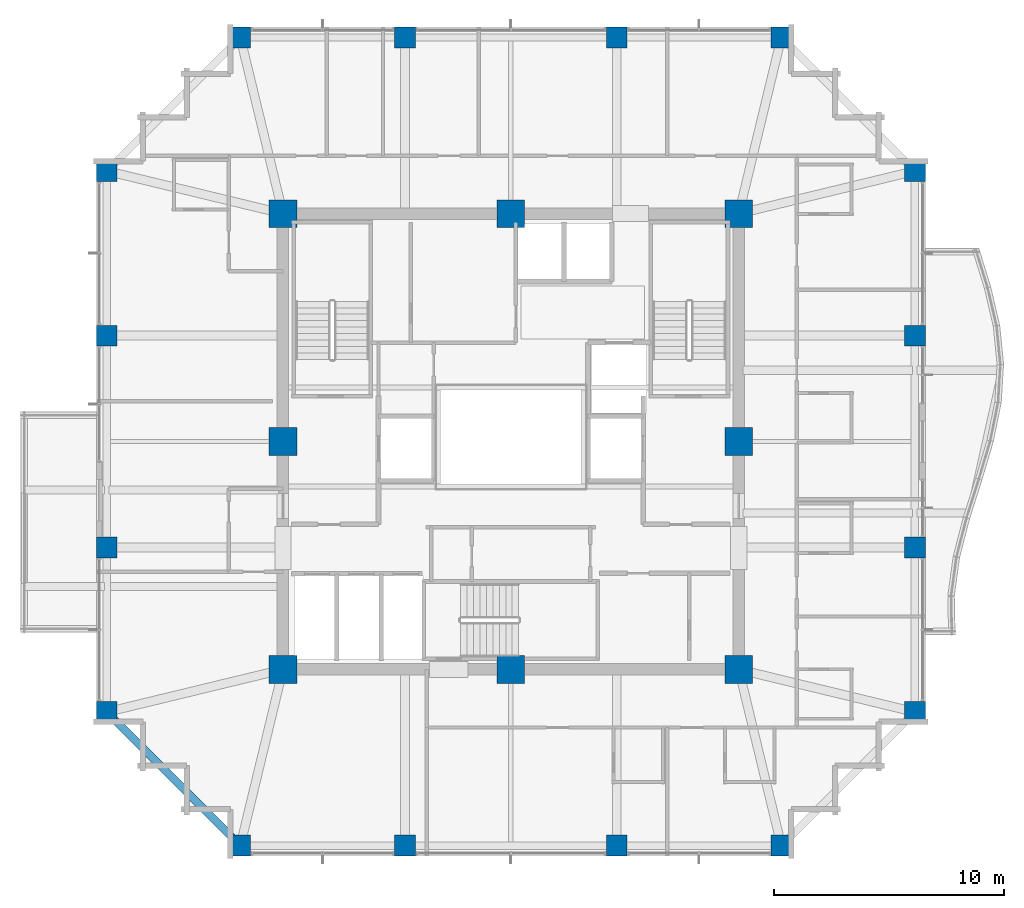
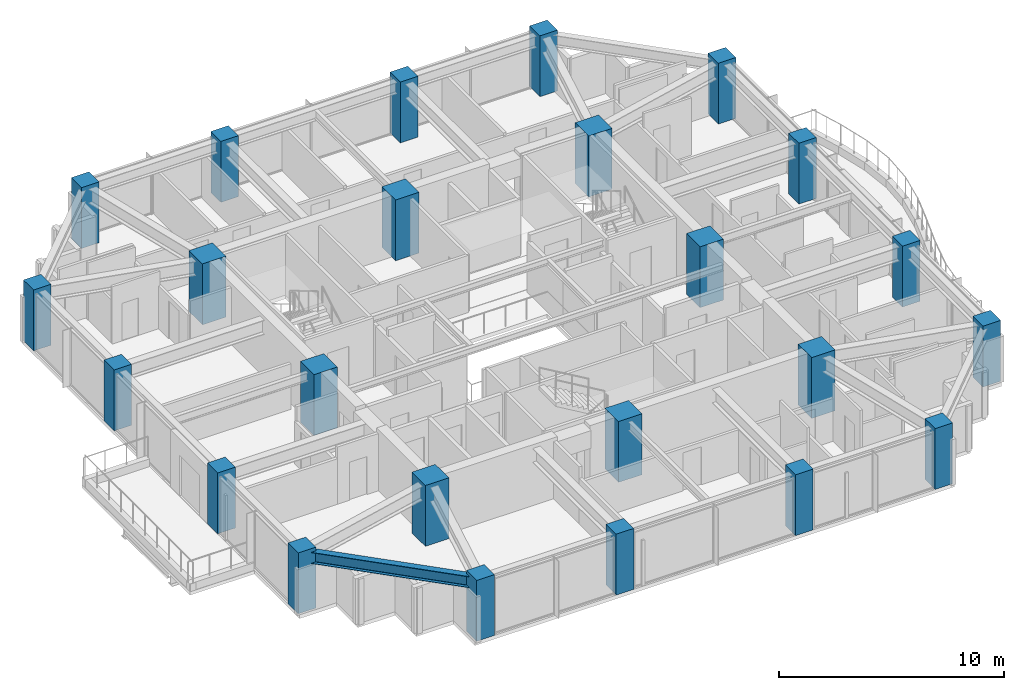
# One storey, part 1 of 32: 24 columns, 1 beam.
"""IFC4 building model written with IfcOpenShell, lengths in metres."""

from ifc_helpers import new_model, si_unit, direction, frame, origin, origin_2d, place, context, subcontext, project, spatial, rectangle, i_section, extrude, material, material_profile, profile_set, type_object, element, save


model = new_model("IFC4")

# Units and contexts
model_context = context("Model", 3, precision=1e-05, world=origin(), true_north=direction((0.0, 1.0)))
body_context = subcontext(model_context, "Body", "Model", "MODEL_VIEW")
ifc_project = project(units=[si_unit("LENGTHUNIT", "METRE"), si_unit("AREAUNIT", "SQUARE_METRE"), si_unit("VOLUMEUNIT", "CUBIC_METRE"), si_unit("PLANEANGLEUNIT", "RADIAN"), si_unit("MASSUNIT", "GRAM", prefix="KILO")], contexts=[model_context])

# Site, building, storey
site_placement = place(None, origin())
site = spatial("IfcSite", under=ifc_project, at=site_placement, CompositionType="ELEMENT")
building_placement = place(site_placement, origin())
building = spatial("IfcBuilding", under=site, at=building_placement, Name="Kolvaren Belvedere", CompositionType="ELEMENT")
storey_placement = place(building_placement, frame((0.0, 0.0, 141.5)))
storey = spatial("IfcBuildingStorey", under=building, at=storey_placement, Name="L41", CompositionType="ELEMENT", Elevation=141.5)

# Columns
ifc_material_1 = material(Name="Concrete C60/75", Category="concrete")
ifc_material_profile_1 = material_profile(ifc_material_1, rectangle(XDim=1.199951171875, YDim=1.199951171875, at=origin_2d()), Name="RC 1200X1200")
ifc_profile_set_1 = profile_set([ifc_material_profile_1], Name="Concrete C60/75")
column_type_1 = type_object("IfcColumnType", Name="COL-RC-1200", PredefinedType="COLUMN", material=ifc_profile_set_1)
for number, where, z_axis, x_axis, name in (
    (1, (-9.89990234375, -9.89990234375, 0.0), (0.0, 0.0, 1.0), (1.0, 0.0, 0.0), "L41 Core Column CC1"),
    (2, (9.89990234375, -9.89990234375, 0.0), (0.0, 0.0, 1.0), (1.0, 0.0, 0.0), "L41 Core Column CC2"),
    (3, (9.89990234375, 9.89990234375, 0.0), (0.0, 0.0, 1.0), (1.0, 0.0, 0.0), "L41 Core Column CC3"),
    (4, (-9.89990234375, 9.89990234375, 0.0), (0.0, 0.0, 1.0), (1.0, 0.0, 0.0), "L41 Core Column CC4"),
    (5, (0.0, -9.89990234375, 0.0), (0.0, 0.0, 1.0), (1.0, 0.0, 0.0), "L41 Core Column CM1"),
    (6, (9.89990234375, 0.0, 0.0), (0.0, 0.0, 1.0), (1.0, 0.0, 0.0), "L41 Core Column CM2"),
    (7, (0.0, 9.89990234375, 0.0), (0.0, 0.0, 1.0), (1.0, 0.0, 0.0), "L41 Core Column CM3"),
    (8, (-9.89990234375, 0.0, 0.0), (0.0, 0.0, 1.0), (1.0, 0.0, 0.0), "L41 Core Column CM4"),
):
    element("IfcColumn", number, at=place(storey_placement, frame(where, z_axis=z_axis, x_axis=x_axis)), inside=storey, type_object=column_type_1, Name=name, PredefinedType="COLUMN", context=body_context, shape_type="SweptSolid", body=[
        extrude(rectangle(XDim=1.199951171875, YDim=1.199951171875, at=origin_2d()), origin(), (0.0, 0.0, 1.0), 3.300048828125),
    ])
ifc_material_2 = material(Name="Concrete C50/60", Category="concrete")
ifc_material_profile_2 = material_profile(ifc_material_2, rectangle(XDim=0.89990234375, YDim=0.89990234375, at=origin_2d()), Name="RC 900X900")
ifc_profile_set_2 = profile_set([ifc_material_profile_2], Name="Concrete C50/60")
column_type_2 = type_object("IfcColumnType", Name="COL-RC-900", PredefinedType="COLUMN", material=ifc_profile_set_2)
for number, where, z_axis, x_axis, name in (
    (9, (-11.75, -17.550048828125, 0.0), (0.0, 0.0, 1.0), (1.0, 0.0, 0.0), "L41 Perimeter Column S1"),
    (10, (-4.60009765625, -17.550048828125, 0.0), (0.0, 0.0, 1.0), (1.0, 0.0, 0.0), "L41 Perimeter Column S2"),
    (11, (4.60009765625, -17.550048828125, 0.0), (0.0, 0.0, 1.0), (1.0, 0.0, 0.0), "L41 Perimeter Column S3"),
    (12, (11.75, -17.550048828125, 0.0), (0.0, 0.0, 1.0), (1.0, 0.0, 0.0), "L41 Perimeter Column S4"),
    (13, (-11.75, 17.550048828125, 0.0), (0.0, 0.0, 1.0), (1.0, 0.0, 0.0), "L41 Perimeter Column N1"),
    (14, (-4.60009765625, 17.550048828125, 0.0), (0.0, 0.0, 1.0), (1.0, 0.0, 0.0), "L41 Perimeter Column N2"),
    (15, (4.60009765625, 17.550048828125, 0.0), (0.0, 0.0, 1.0), (1.0, 0.0, 0.0), "L41 Perimeter Column N3"),
    (16, (11.75, 17.550048828125, 0.0), (0.0, 0.0, 1.0), (1.0, 0.0, 0.0), "L41 Perimeter Column N4"),
    (17, (-17.550048828125, -11.75, 0.0), (0.0, 0.0, 1.0), (1.0, 0.0, 0.0), "L41 Perimeter Column W1"),
    (18, (-17.550048828125, -4.60009765625, 0.0), (0.0, 0.0, 1.0), (1.0, 0.0, 0.0), "L41 Perimeter Column W2"),
    (19, (-17.550048828125, 4.60009765625, 0.0), (0.0, 0.0, 1.0), (1.0, 0.0, 0.0), "L41 Perimeter Column W3"),
    (20, (-17.550048828125, 11.75, 0.0), (0.0, 0.0, 1.0), (1.0, 0.0, 0.0), "L41 Perimeter Column W4"),
    (21, (17.550048828125, -11.75, 0.0), (0.0, 0.0, 1.0), (1.0, 0.0, 0.0), "L41 Perimeter Column E1"),
    (22, (17.550048828125, -4.60009765625, 0.0), (0.0, 0.0, 1.0), (1.0, 0.0, 0.0), "L41 Perimeter Column E2"),
    (23, (17.550048828125, 4.60009765625, 0.0), (0.0, 0.0, 1.0), (1.0, 0.0, 0.0), "L41 Perimeter Column E3"),
    (24, (17.550048828125, 11.75, 0.0), (0.0, 0.0, 1.0), (1.0, 0.0, 0.0), "L41 Perimeter Column E4"),
):
    element("IfcColumn", number, at=place(storey_placement, frame(where, z_axis=z_axis, x_axis=x_axis)), inside=storey, type_object=column_type_2, Name=name, PredefinedType="COLUMN", context=body_context, shape_type="SweptSolid", body=[
        extrude(rectangle(XDim=0.89990234375, YDim=0.89990234375, at=origin_2d()), origin(), (0.0, 0.0, 1.0), 3.300048828125),
    ])

# Beam
ifc_material_3 = material(Name="Structural steel ASTM A992 Grade 50", Category="steel")
ifc_material_profile_3 = material_profile(ifc_material_3, i_section(OverallWidth=0.324951171875, OverallDepth=0.615966796875, WebThickness=0.013916015625, FlangeThickness=0.021484375, FilletRadius=0.02001953125, at=origin_2d()), Name="W24X117")
ifc_profile_set_3 = profile_set([ifc_material_profile_3], Name="Structural steel ASTM A992 Grade 50")
beam_type = type_object("IfcBeamType", Name="BM-SPAN-W24X117", PredefinedType="SPANDREL", material=ifc_profile_set_3)
beam_placement = place(storey_placement, frame((-17.40673828125, -11.893310546875, 2.7919921875), z_axis=(0.707106781187, -0.707106781187, 0.0), x_axis=(0.707106781187, 0.707106781187, 0.0)))
element("IfcBeam", 25, at=beam_placement, inside=storey, type_object=beam_type, Name="L41 Perimeter Spandrel W1-S1", PredefinedType="SPANDREL", context=body_context, shape_type="SweptSolid", body=[
    extrude(i_section(OverallWidth=0.324951171875, OverallDepth=0.615966796875, WebThickness=0.013916015625, FlangeThickness=0.021484375, FilletRadius=0.02001953125, at=origin_2d()), origin(), (0.0, 0.0, 1.0), 7.797119140625),
])

save(model, "model.ifc")
